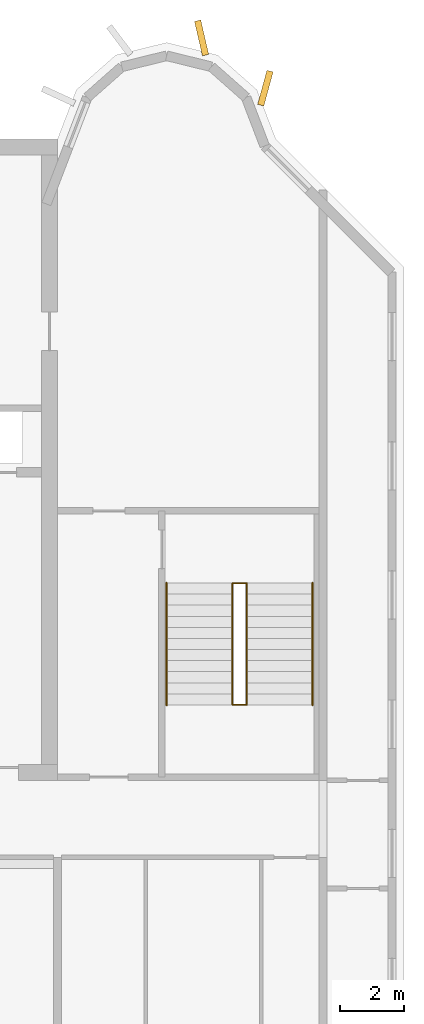
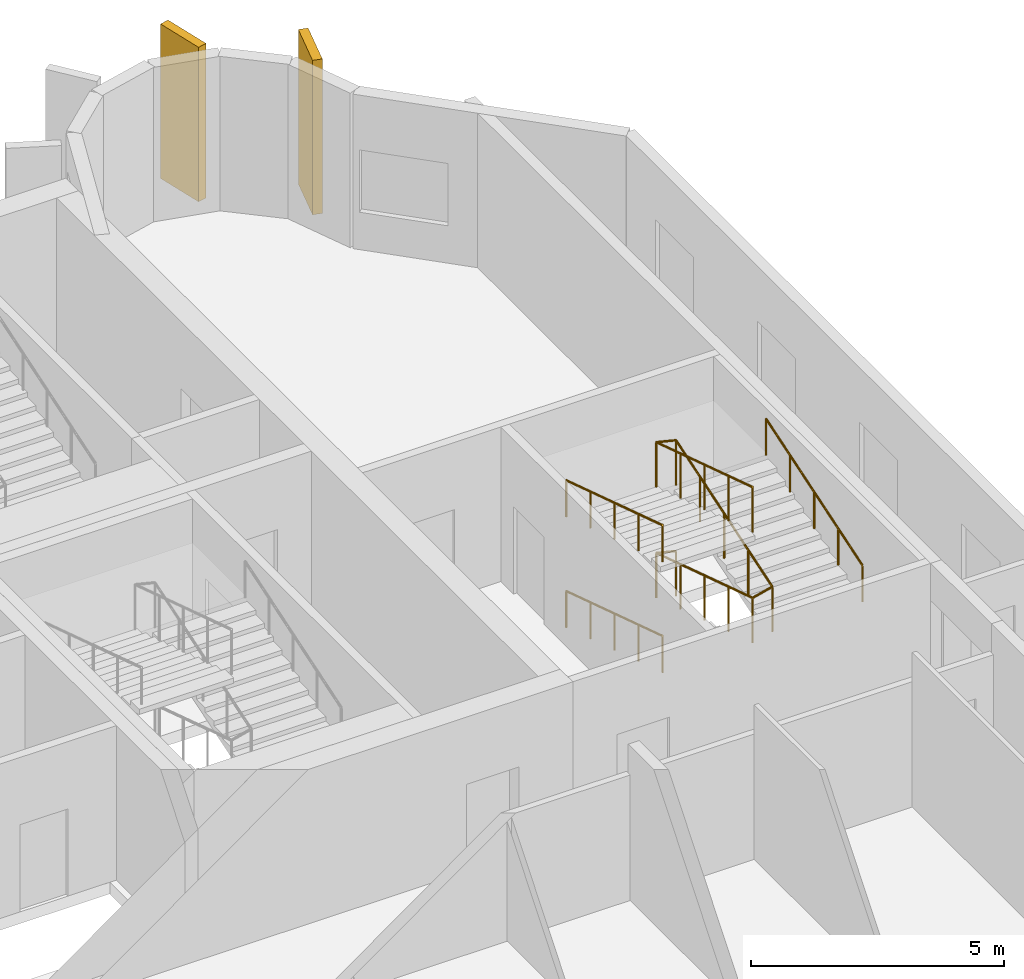
# One storey, part 11 of 12: 4 railings, 2 coverings.
"""IFC4 building model written with IfcOpenShell, lengths in metres."""

from ifc_helpers import new_model, si_unit, direction, frame, origin, origin_2d, place, context, subcontext, project, spatial, rectangle, circle, extrude, source, transform, mapped, material, material_profile, profile_set, type_object, element, save


model = new_model("IFC4")

# Units and contexts
model_context = context("Model", 3, precision=1e-05, world=origin(), true_north=direction((0.0, 1.0)))
body_context = subcontext(model_context, "Body", "Model", "MODEL_VIEW")
ifc_project = project(units=[si_unit("LENGTHUNIT", "METRE"), si_unit("AREAUNIT", "SQUARE_METRE"), si_unit("VOLUMEUNIT", "CUBIC_METRE"), si_unit("PLANEANGLEUNIT", "RADIAN"), si_unit("MASSUNIT", "GRAM", prefix="KILO")], contexts=[model_context])

# Site, building, storey
site_placement = place(None, origin())
site = spatial("IfcSite", under=ifc_project, at=site_placement, CompositionType="ELEMENT")
building_placement = place(site_placement, origin())
building = spatial("IfcBuilding", under=site, at=building_placement, Name="Vanashikhar Sky Hotel", CompositionType="ELEMENT")
storey_placement = place(building_placement, frame((0.0, 0.0, 285.699951171875)))
storey = spatial("IfcBuildingStorey", under=building, at=storey_placement, Name="L68", CompositionType="ELEMENT", Elevation=285.699951171875)

# Coverings
ifc_material_1 = material(Name="Concrete M60 dark", Category="concrete")
ifc_material_profile = material_profile(ifc_material_1, rectangle(XDim=1.10009765625, YDim=0.199951171875, at=origin_2d()))
ifc_profile_set = profile_set([ifc_material_profile], Name="Rear lobe fin 1100 x 200")
covering_type = type_object("IfcCoveringType", Name="Rear lobe fin 1100 x 200", PredefinedType="CLADDING", material=ifc_profile_set)
shared_shape_1 = source(origin(), body_context, "Body", "SweptSolid", [
    extrude(rectangle(XDim=1.10009765625, YDim=0.199951171875, at=origin_2d()), origin(), (0.0, 0.0, 1.0), 3.719970703125),
])
for number, where, z_axis, x_axis, name in (
    (1, (80.08984375, 45.1455078125, 0.0), (0.0, 0.0, 1.0), (-0.224644935864, 0.974440687159, 0.0), "Fin R2-3"),
    (2, (82.0791015625, 43.580078125, 0.0), (0.0, 0.0, 1.0), (0.262711264409, 0.964874495234, 0.0), "Fin R2-4"),
):
    element("IfcCovering", number, at=place(storey_placement, frame(where, z_axis=z_axis, x_axis=x_axis)), inside=storey, type_object=covering_type, Name=name, PredefinedType="CLADDING", context=body_context, shape_type="MappedRepresentation", body=[
        mapped(shared_shape_1, transform((0.0, 0.0, 0.0), scale=1.0)),
    ])

# Railings
ifc_material_2 = material(Name="Steel S355", Category="steel")
railing_type_1 = type_object("IfcRailingType", Name="Stair guard 1100", PredefinedType="GUARDRAIL", material=ifc_material_2)
shared_shape_2 = source(origin(), body_context, "Body", "SweptSolid", [
    extrude(circle(Radius=0.02392578125, at=origin_2d()), frame((0.0, 0.0, 1.076171875), z_axis=(-0.970851010584, 0.0, 0.239683781777), x_axis=(0.0, -1.0, 0.0)), (0.0, 0.0, 1.0), 0.46337890625),
    extrude(circle(Radius=0.02392578125, at=origin_2d()), frame((-0.449951171875, 0.0, 1.18701171875), z_axis=(0.0, -0.951952165375, 0.306246754821), x_axis=(1.0, 0.0, 0.0)), (0.0, 0.0, 1.0), 3.99169921875),
    extrude(circle(Radius=0.02392578125, at=origin_2d()), frame((-0.449951171875, -3.7998046875, 2.40966796875), z_axis=(0.970851010584, 0.0, 0.239683781777), x_axis=(0.0, 1.0, 0.0)), (0.0, 0.0, 1.0), 0.46337890625),
    extrude(circle(Radius=0.02392578125, at=origin_2d()), frame((0.0, -3.7998046875, 2.5205078125), z_axis=(0.0, 0.951969995293, 0.306191325908), x_axis=(-1.0, 0.0, 0.0)), (0.0, 0.0, 1.0), 3.991455078125),
    extrude(circle(Radius=0.02392578125, at=origin_2d()), frame((0.0, 0.0, 3.74267578125), z_axis=(-0.970851010584, 0.0, 0.239683781777), x_axis=(0.0, -1.0, 0.0)), (0.0, 0.0, 1.0), 0.46337890625),
    extrude(circle(Radius=0.02392578125, at=origin_2d()), frame((-0.449951171875, 0.0, 3.85400390625), z_axis=(0.0, -0.951969995293, 0.306191325908), x_axis=(1.0, 0.0, 0.0)), (0.0, 0.0, 1.0), 3.991455078125),
    extrude(circle(Radius=0.02099609375, at=origin_2d()), origin(), (0.0, 0.0, 1.0), 1.052001953125),
    extrude(circle(Radius=0.02099609375, at=origin_2d()), frame((-0.449951171875, 0.0, 0.111083984375)), (0.0, 0.0, 1.0), 1.052001953125),
    extrude(circle(Radius=0.02099609375, at=origin_2d()), frame((-0.449951171875, -0.949951171875, 0.416748046875)), (0.0, 0.0, 1.0), 1.052001953125),
    extrude(circle(Radius=0.02099609375, at=origin_2d()), frame((-0.449951171875, -1.89990234375, 0.72216796875)), (0.0, 0.0, 1.0), 1.052001953125),
    extrude(circle(Radius=0.02099609375, at=origin_2d()), frame((-0.449951171875, -2.849853515625, 1.02783203125)), (0.0, 0.0, 1.0), 1.052001953125),
    extrude(circle(Radius=0.02099609375, at=origin_2d()), frame((-0.449951171875, -3.7998046875, 1.33349609375)), (0.0, 0.0, 1.0), 1.052001953125),
    extrude(circle(Radius=0.02099609375, at=origin_2d()), frame((0.0, -3.7998046875, 1.444580078125)), (0.0, 0.0, 1.0), 1.052001953125),
    extrude(circle(Radius=0.02099609375, at=origin_2d()), frame((0.0, -2.849853515625, 1.75)), (0.0, 0.0, 1.0), 1.052001953125),
    extrude(circle(Radius=0.02099609375, at=origin_2d()), frame((0.0, -1.89990234375, 2.0556640625)), (0.0, 0.0, 1.0), 1.052001953125),
    extrude(circle(Radius=0.02099609375, at=origin_2d()), frame((0.0, -0.949951171875, 2.361328125)), (0.0, 0.0, 1.0), 1.052001953125),
    extrude(circle(Radius=0.02099609375, at=origin_2d()), frame((0.0, 0.0, 2.666748046875)), (0.0, 0.0, 1.0), 1.052001953125),
    extrude(circle(Radius=0.02099609375, at=origin_2d()), frame((-0.449951171875, 0.0, 2.77783203125)), (0.0, 0.0, 1.0), 1.052001953125),
    extrude(circle(Radius=0.02099609375, at=origin_2d()), frame((-0.449951171875, -0.949951171875, 3.08349609375)), (0.0, 0.0, 1.0), 1.052001953125),
    extrude(circle(Radius=0.02099609375, at=origin_2d()), frame((-0.449951171875, -1.89990234375, 3.388916015625)), (0.0, 0.0, 1.0), 1.052001953125),
    extrude(circle(Radius=0.02099609375, at=origin_2d()), frame((-0.449951171875, -2.849853515625, 3.6943359375)), (0.0, 0.0, 1.0), 1.052001953125),
    extrude(circle(Radius=0.02099609375, at=origin_2d()), frame((-0.449951171875, -3.7998046875, 4.0)), (0.0, 0.0, 1.0), 1.052001953125),
])
railing_1_placement = place(storey_placement, frame((81.5, 28.14990234375, 0.0)))
element("IfcRailing", 3, at=railing_1_placement, inside=storey, type_object=railing_type_1, Name="Exit stair 4 guard", PredefinedType="GUARDRAIL", context=body_context, shape_type="MappedRepresentation", body=[
    mapped(shared_shape_2, transform((0.0, 0.0, 0.0), scale=1.0)),
])
railing_type_2 = type_object("IfcRailingType", Name="Stair handrail 900", PredefinedType="HANDRAIL", material=ifc_material_2)
shared_shape_3 = source(origin(), body_context, "Body", "SweptSolid", [
    extrude(circle(Radius=0.02392578125, at=origin_2d()), frame((0.0, 0.0, 0.8759765625), z_axis=(0.0, -0.951952165375, 0.306246754821), x_axis=(1.0, 0.0, 0.0)), (0.0, 0.0, 1.0), 3.99169921875),
    extrude(circle(Radius=0.02099609375, at=origin_2d()), origin(), (0.0, 0.0, 1.0), 0.851806640625),
    extrude(circle(Radius=0.02099609375, at=origin_2d()), frame((0.0, -0.949951171875, 0.3056640625)), (0.0, 0.0, 1.0), 0.851806640625),
    extrude(circle(Radius=0.02099609375, at=origin_2d()), frame((0.0, -1.89990234375, 0.611328125)), (0.0, 0.0, 1.0), 0.851806640625),
    extrude(circle(Radius=0.02099609375, at=origin_2d()), frame((0.0, -2.849853515625, 0.916748046875)), (0.0, 0.0, 1.0), 0.851806640625),
    extrude(circle(Radius=0.02099609375, at=origin_2d()), frame((0.0, -3.7998046875, 1.222412109375)), (0.0, 0.0, 1.0), 0.851806640625),
])
railing_2_placement = place(storey_placement, frame((79.0, 28.14990234375, 0.111083984375)))
element("IfcRailing", 4, at=railing_2_placement, inside=storey, type_object=railing_type_2, Name="Exit stair 4 handrail", PredefinedType="HANDRAIL", context=body_context, shape_type="MappedRepresentation", body=[
    mapped(shared_shape_3, transform((0.0, 0.0, 0.0), scale=1.0)),
])
shared_shape_4 = source(origin(), body_context, "Body", "SweptSolid", [
    extrude(circle(Radius=0.02392578125, at=origin_2d()), frame((0.0, 0.0, 0.8759765625), z_axis=(0.0, 0.951969995293, 0.306191325908), x_axis=(-1.0, 0.0, 0.0)), (0.0, 0.0, 1.0), 3.991455078125),
    extrude(circle(Radius=0.02099609375, at=origin_2d()), origin(), (0.0, 0.0, 1.0), 0.851806640625),
    extrude(circle(Radius=0.02099609375, at=origin_2d()), frame((0.0, 0.949951171875, 0.3056640625)), (0.0, 0.0, 1.0), 0.851806640625),
    extrude(circle(Radius=0.02099609375, at=origin_2d()), frame((0.0, 1.89990234375, 0.611083984375)), (0.0, 0.0, 1.0), 0.851806640625),
    extrude(circle(Radius=0.02099609375, at=origin_2d()), frame((0.0, 2.849853515625, 0.91650390625)), (0.0, 0.0, 1.0), 0.851806640625),
    extrude(circle(Radius=0.02099609375, at=origin_2d()), frame((0.0, 3.7998046875, 1.22216796875)), (0.0, 0.0, 1.0), 0.851806640625),
])
railing_3_placement = place(storey_placement, frame((83.550048828125, 24.35009765625, 1.444580078125)))
element("IfcRailing", 5, at=railing_3_placement, inside=storey, type_object=railing_type_2, Name="Exit stair 4 handrail", PredefinedType="HANDRAIL", context=body_context, shape_type="MappedRepresentation", body=[
    mapped(shared_shape_4, transform((0.0, 0.0, 0.0), scale=1.0)),
])
shared_shape_5 = source(origin(), body_context, "Body", "SweptSolid", [
    extrude(circle(Radius=0.02392578125, at=origin_2d()), frame((0.0, 0.0, 0.8759765625), z_axis=(0.0, -0.951969995293, 0.306191325908), x_axis=(1.0, 0.0, 0.0)), (0.0, 0.0, 1.0), 3.991455078125),
    extrude(circle(Radius=0.02099609375, at=origin_2d()), origin(), (0.0, 0.0, 1.0), 0.851806640625),
    extrude(circle(Radius=0.02099609375, at=origin_2d()), frame((0.0, -0.949951171875, 0.3056640625)), (0.0, 0.0, 1.0), 0.851806640625),
    extrude(circle(Radius=0.02099609375, at=origin_2d()), frame((0.0, -1.89990234375, 0.611083984375)), (0.0, 0.0, 1.0), 0.851806640625),
    extrude(circle(Radius=0.02099609375, at=origin_2d()), frame((0.0, -2.849853515625, 0.91650390625)), (0.0, 0.0, 1.0), 0.851806640625),
    extrude(circle(Radius=0.02099609375, at=origin_2d()), frame((0.0, -3.7998046875, 1.22216796875)), (0.0, 0.0, 1.0), 0.851806640625),
])
railing_4_placement = place(storey_placement, frame((79.0, 28.14990234375, 2.77783203125)))
element("IfcRailing", 6, at=railing_4_placement, inside=storey, type_object=railing_type_2, Name="Exit stair 4 handrail", PredefinedType="HANDRAIL", context=body_context, shape_type="MappedRepresentation", body=[
    mapped(shared_shape_5, transform((0.0, 0.0, 0.0), scale=1.0)),
])

save(model, "model.ifc")
